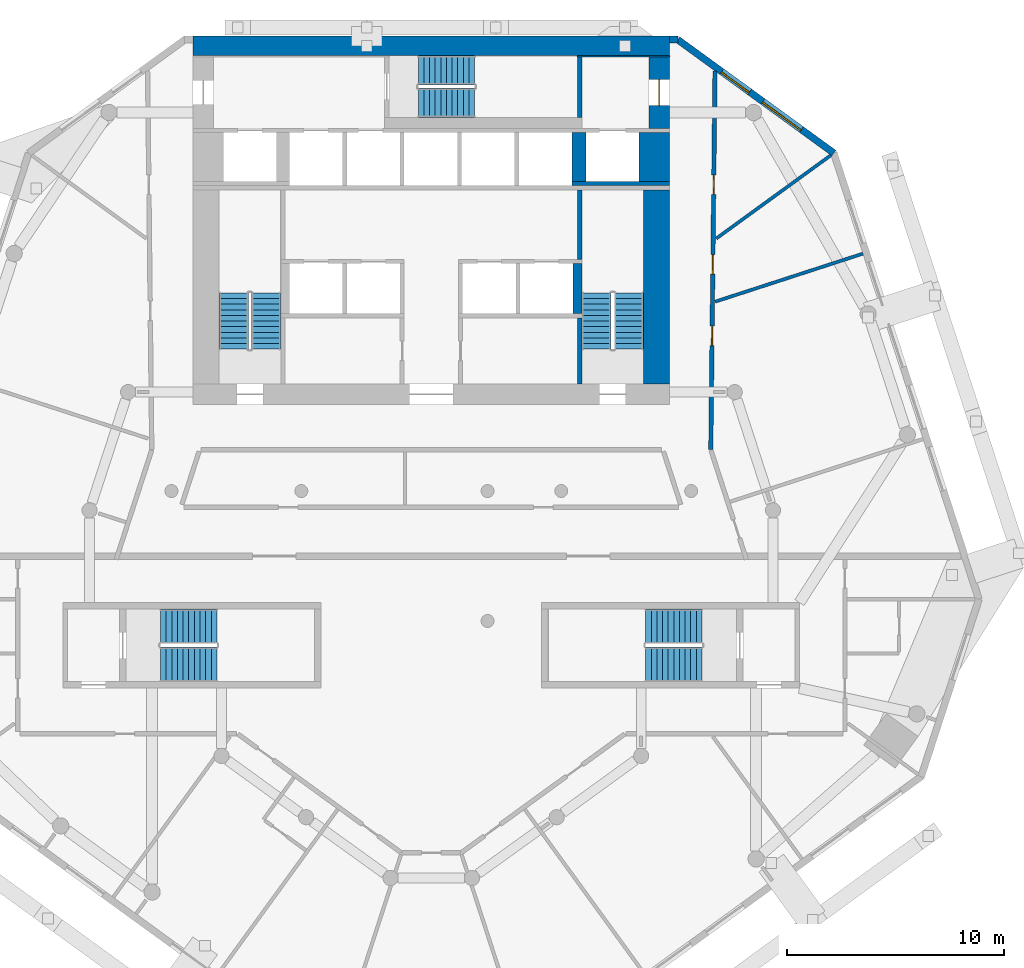
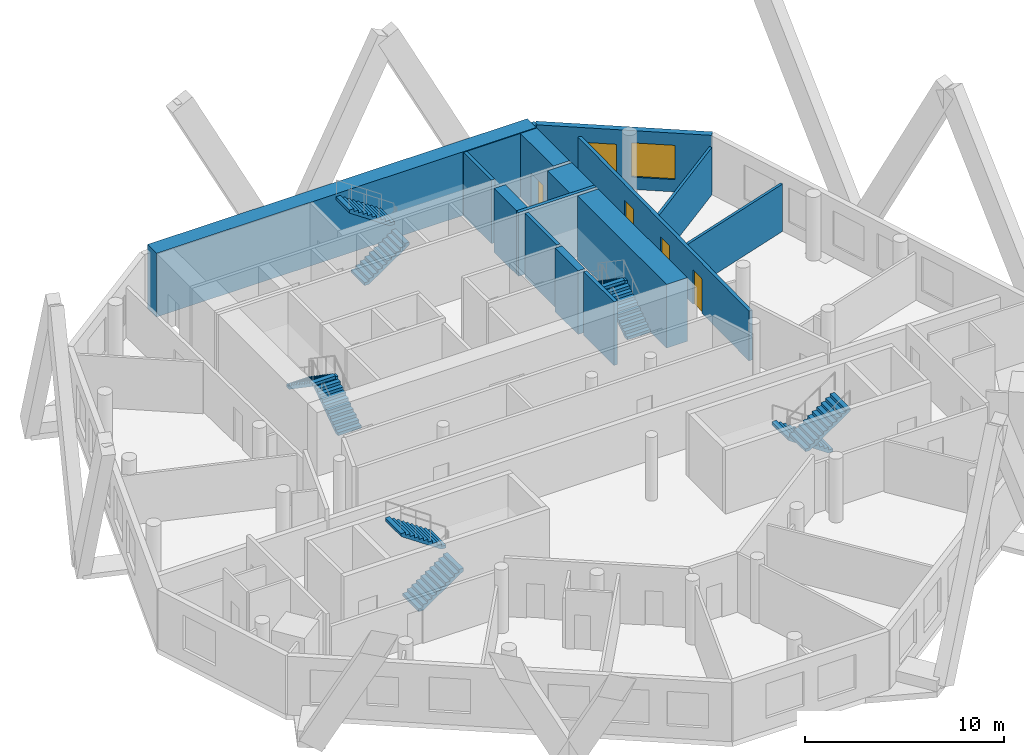
# One storey, part 7 of 9: 16 walls, 10 stair flights, 4 doors, 2 windows, 6 openings, 5 elements without a shape of their own.
"""IFC4 building model written with IfcOpenShell, lengths in metres."""

from ifc_helpers import new_model, si_unit, direction, frame, frame_2d, origin, place, context, subcontext, project, spatial, polyline, rectangle, outline, extrude, material, layer, layer_set, type_object, element, fill, aggregate, save


model = new_model("IFC4")

# Units and contexts
model_context = context("Model", 3, precision=1e-05, world=origin(), true_north=direction((0.0, 1.0)))
body_context = subcontext(model_context, "Body", "Model", "MODEL_VIEW")
ifc_project = project(units=[si_unit("LENGTHUNIT", "METRE"), si_unit("AREAUNIT", "SQUARE_METRE"), si_unit("VOLUMEUNIT", "CUBIC_METRE"), si_unit("PLANEANGLEUNIT", "RADIAN"), si_unit("MASSUNIT", "GRAM", prefix="KILO")], contexts=[model_context])

# Site, building, storey
site_placement = place(None, origin())
site = spatial("IfcSite", under=ifc_project, at=site_placement, CompositionType="ELEMENT")
building_placement = place(site_placement, origin())
building = spatial("IfcBuilding", under=site, at=building_placement, Name="White Candle Pilgrim Tower", CompositionType="ELEMENT")
storey_placement = place(building_placement, frame((0.0, 0.0, 148.60009765625)))
storey = spatial("IfcBuildingStorey", under=building, at=storey_placement, Name="L33", CompositionType="ELEMENT", Elevation=148.60009765625)

# Walls
ifc_material_1 = material(Name="Concrete C60/75", Category="concrete")
ifc_layer_1 = layer(ifc_material_1, 1.39990234375)
ifc_layer_set_1 = layer_set([ifc_layer_1], Name="Core wall 1400 mm Concrete C60/75")
wall_type_1 = type_object("IfcWallType", Name="Core wall 1400 mm Concrete C60/75", PredefinedType="SHEAR", material=ifc_layer_set_1)
wall_1_placement = place(storey_placement, frame((80.300048828125, 81.300048828125, 0.0), z_axis=(0.0, 0.0, 1.0), x_axis=(0.0, 1.0, 0.0)))
element("IfcWall", 1, at=wall_1_placement, inside=storey, type_object=wall_type_1, Name="WL-L33-C40", PredefinedType="SHEAR", context=body_context, shape_type="SweptSolid", body=[
    extrude(rectangle(XDim=2.25, YDim=1.39990234375, at=frame_2d((1.125, 0.0))), origin(), (0.0, 0.0, 1.0), 3.89990234375),
])
ifc_layer_2 = layer(ifc_material_1, 0.199951171875)
ifc_layer_set_2 = layer_set([ifc_layer_2], Name="Core wall 200 mm Concrete C60/75")
wall_type_2 = type_object("IfcWallType", Name="Core wall 200 mm Concrete C60/75", PredefinedType="SHEAR", material=ifc_layer_set_2)
wall_2_placement = place(storey_placement, frame((76.5, 81.199951171875, 0.0), z_axis=(0.0, 0.0, 1.0), x_axis=(1.0, 0.0, 0.0)))
element("IfcWall", 2, at=wall_2_placement, inside=storey, type_object=wall_type_2, Name="WL-L33-C36", PredefinedType="SHEAR", context=body_context, shape_type="SweptSolid", body=[
    extrude(rectangle(XDim=4.5, YDim=0.199951171875, at=frame_2d((2.25, 0.0))), origin(), (0.0, 0.0, 1.0), 3.89990234375),
])

# Wall, opening, door
ifc_layer_3 = layer(ifc_material_1, 0.949951171875)
ifc_layer_set_3 = layer_set([ifc_layer_3], Name="Core wall 950 mm Concrete C60/75")
wall_type_3 = type_object("IfcWallType", Name="Core wall 950 mm Concrete C60/75", PredefinedType="SHEAR", material=ifc_layer_set_3)
wall_3_placement = place(storey_placement, frame((80.52490234375, 83.75, 0.0), z_axis=(0.0, 0.0, 1.0), x_axis=(0.0, 1.0, 0.0)))
wall_3 = element("IfcWall", 3, at=wall_3_placement, inside=storey, type_object=wall_type_3, Name="WL-L33-C44", PredefinedType="SHEAR", context=body_context, shape_type="SweptSolid", body=[
    extrude(rectangle(XDim=3.300048828125, YDim=0.949951171875, at=frame_2d((1.64990234375, 0.0))), origin(), (0.0, 0.0, 1.0), 3.89990234375),
])
opening_1_placement = place(wall_3_placement, frame((1.050048828125, 0.0, 0.0)))
opening_1 = element("IfcOpeningElement", 4, at=opening_1_placement, cuts=wall_3, Name="Opening T10-008", PredefinedType="OPENING", context=body_context, shape_type="SweptSolid", body=[
    extrude(rectangle(XDim=1.199951171875, YDim=2.10009765625, at=frame_2d((0.60009765625, 1.050048828125))), frame((0.0, 0.48486328125, 0.0), z_axis=(0.0, -1.0, 0.0), x_axis=(1.0, 0.0, 0.0)), (0.0, 0.0, 1.0), 0.969970703125),
])
ifc_material_2 = material(Name="Steel door leaf", Category="steel")
door_type_1 = type_object("IfcDoorType", Name="Fire door 1200 x 2100 EI 30", OperationType="NOTDEFINED", PredefinedType="DOOR", material=ifc_material_2)
door_1_placement = place(opening_1_placement, origin())
door_1 = element("IfcDoor", 5, at=door_1_placement, inside=storey, type_object=door_type_1, Name="Door T10-008", OperationType="SINGLE_SWING_RIGHT", OverallHeight=2.10009765625, OverallWidth=1.199951171875, PredefinedType="DOOR", context=body_context, shape_type="SweptSolid", body=[
    extrude(rectangle(XDim=1.199951171875, YDim=2.10009765625, at=frame_2d((0.60009765625, 1.050048828125))), frame((0.0, 0.02490234375, 0.0), z_axis=(0.0, -1.0, 0.0), x_axis=(1.0, 0.0, 0.0)), (0.0, 0.0, 1.0), 0.050048828125),
])
fill(opening_1, door_1)

# Wall, openings, doors
ifc_material_3 = material(Name="Gypsum board on steel studs", Category="steel")
ifc_layer_4 = layer(ifc_material_3, 0.199951171875)
ifc_layer_set_4 = layer_set([ifc_layer_4], Name="Corridor wall 200 mm EI 45")
wall_type_4 = type_object("IfcWallType", Name="Corridor wall 200 mm EI 45", PredefinedType="PARTITIONING", material=ifc_layer_set_4)
wall_4_placement = place(storey_placement, frame((83.10009765625, 86.396240234375, 0.0), z_axis=(0.0, 0.0, 1.0), x_axis=(-0.011061239263, -0.999938822622, 0.0)))
wall_4 = element("IfcWall", 6, at=wall_4_placement, inside=storey, type_object=wall_type_4, Name="WL-L33-P004", PredefinedType="PARTITIONING", context=body_context, shape_type="SweptSolid", body=[
    extrude(rectangle(XDim=17.480712890625, YDim=0.199951171875, at=frame_2d((8.740234375, 0.0))), origin(), (0.0, 0.0, 1.0), 3.0498046875),
])
opening_2_placement = place(wall_4_placement, frame((4.794189453125, 0.0, 0.0)))
opening_2 = element("IfcOpeningElement", 7, at=opening_2_placement, cuts=wall_4, Name="Opening T10-120", PredefinedType="OPENING", context=body_context, shape_type="SweptSolid", body=[
    extrude(rectangle(XDim=0.89990234375, YDim=2.10009765625, at=frame_2d((0.449951171875, 1.050048828125))), frame((0.0, 0.10986328125, 0.0), z_axis=(0.0, -1.0, 0.0), x_axis=(1.0, 0.0, 0.0)), (0.0, 0.0, 1.0), 0.219970703125),
])
opening_3_placement = place(wall_4_placement, frame((8.476318359375, 0.0, 0.0)))
opening_3 = element("IfcOpeningElement", 8, at=opening_3_placement, cuts=wall_4, Name="Opening T10-121", PredefinedType="OPENING", context=body_context, shape_type="SweptSolid", body=[
    extrude(rectangle(XDim=0.89990234375, YDim=2.10009765625, at=frame_2d((0.449951171875, 1.050048828125))), frame((0.0, 0.10986328125, 0.0), z_axis=(0.0, -1.0, 0.0), x_axis=(1.0, 0.0, 0.0)), (0.0, 0.0, 1.0), 0.219970703125),
])
opening_4_placement = place(wall_4_placement, frame((11.78662109375, 0.0, 0.0)))
opening_4 = element("IfcOpeningElement", 9, at=opening_4_placement, cuts=wall_4, Name="Opening T10-122", PredefinedType="OPENING", context=body_context, shape_type="SweptSolid", body=[
    extrude(rectangle(XDim=0.89990234375, YDim=2.10009765625, at=frame_2d((0.449951171875, 1.050048828125))), frame((0.0, 0.10986328125, 0.0), z_axis=(0.0, -1.0, 0.0), x_axis=(1.0, 0.0, 0.0)), (0.0, 0.0, 1.0), 0.219970703125),
])
door_type_2 = type_object("IfcDoorType", Name="Fire door 900 x 2100 EI 30", OperationType="NOTDEFINED", PredefinedType="DOOR", material=ifc_material_2)
door_2_placement = place(opening_2_placement, origin())
door_2 = element("IfcDoor", 10, at=door_2_placement, inside=storey, type_object=door_type_2, Name="Door T10-120", OperationType="SINGLE_SWING_RIGHT", OverallHeight=2.10009765625, OverallWidth=0.89990234375, PredefinedType="DOOR", context=body_context, shape_type="SweptSolid", body=[
    extrude(rectangle(XDim=0.89990234375, YDim=2.10009765625, at=frame_2d((0.449951171875, 1.050048828125))), frame((0.0, 0.02490234375, 0.0), z_axis=(0.0, -1.0, 0.0), x_axis=(1.0, 0.0, 0.0)), (0.0, 0.0, 1.0), 0.050048828125),
])
fill(opening_2, door_2)
door_3_placement = place(opening_3_placement, origin())
door_3 = element("IfcDoor", 11, at=door_3_placement, inside=storey, type_object=door_type_2, Name="Door T10-121", OperationType="SINGLE_SWING_LEFT", OverallHeight=2.10009765625, OverallWidth=0.89990234375, PredefinedType="DOOR", context=body_context, shape_type="SweptSolid", body=[
    extrude(rectangle(XDim=0.89990234375, YDim=2.10009765625, at=frame_2d((0.449951171875, 1.050048828125))), frame((0.0, 0.02490234375, 0.0), z_axis=(0.0, -1.0, 0.0), x_axis=(1.0, 0.0, 0.0)), (0.0, 0.0, 1.0), 0.050048828125),
])
fill(opening_3, door_3)
door_4_placement = place(opening_4_placement, origin())
door_4 = element("IfcDoor", 12, at=door_4_placement, inside=storey, type_object=door_type_2, Name="Door T10-122", OperationType="SINGLE_SWING_RIGHT", OverallHeight=2.10009765625, OverallWidth=0.89990234375, PredefinedType="DOOR", context=body_context, shape_type="SweptSolid", body=[
    extrude(rectangle(XDim=0.89990234375, YDim=2.10009765625, at=frame_2d((0.449951171875, 1.050048828125))), frame((0.0, 0.02490234375, 0.0), z_axis=(0.0, -1.0, 0.0), x_axis=(1.0, 0.0, 0.0)), (0.0, 0.0, 1.0), 0.050048828125),
])
fill(opening_4, door_4)

# Wall, openings, windows
ifc_material_4 = material(Name="Precast concrete C40/50", Category="concrete")
ifc_layer_5 = layer(ifc_material_4, 0.320068359375)
ifc_layer_set_5 = layer_set([ifc_layer_5], Name="Facade wall EW1 precast concrete C40/50 pier wall with timber-lined reveals")
wall_type_5 = type_object("IfcWallType", Name="Facade wall EW1 precast concrete C40/50 pier wall with timber-lined reveals", PredefinedType="SOLIDWALL", material=ifc_layer_set_5)
wall_5_placement = place(storey_placement, frame((88.58935546875, 82.605712890625, 0.0), z_axis=(0.0, 0.0, 1.0), x_axis=(-0.809011042426, 0.58779344436, 0.0)))
wall_5 = element("IfcWall", 13, at=wall_5_placement, inside=storey, type_object=wall_type_5, Name="Facade wall L33 NE chamfer", PredefinedType="SOLIDWALL", context=body_context, shape_type="SweptSolid", body=[
    extrude(rectangle(XDim=8.905029296875, YDim=0.320068359375, at=frame_2d((4.45263671875, 0.0))), origin(), (0.0, 0.0, 1.0), 3.599853515625),
])
opening_5_placement = place(wall_5_placement, frame((1.8525390625, 0.0, 0.75)))
opening_5 = element("IfcOpeningElement", 14, at=opening_5_placement, cuts=wall_5, Name="Opening W4", PredefinedType="OPENING", context=body_context, shape_type="SweptSolid", body=[
    extrude(rectangle(XDim=2.199951171875, YDim=2.10009765625, at=frame_2d((1.10009765625, 1.050048828125))), frame((0.0, 0.169921875, 0.0), z_axis=(0.0, -1.0, 0.0), x_axis=(1.0, 0.0, 0.0)), (0.0, 0.0, 1.0), 0.340087890625),
])
opening_6_placement = place(wall_5_placement, frame((4.802490234375, 0.0, 0.89990234375)))
opening_6 = element("IfcOpeningElement", 15, at=opening_6_placement, cuts=wall_5, Name="Opening W2", PredefinedType="OPENING", context=body_context, shape_type="SweptSolid", body=[
    extrude(rectangle(XDim=1.60009765625, YDim=1.800048828125, at=frame_2d((0.800048828125, 0.89990234375))), frame((0.0, 0.169921875, 0.0), z_axis=(0.0, -1.0, 0.0), x_axis=(1.0, 0.0, 0.0)), (0.0, 0.0, 1.0), 0.340087890625),
])
ifc_material_5 = material(Name="Timber frame with triple glazing", Category="wood")
window_type_1 = type_object("IfcWindowType", Name="Window W2 1600x1800 timber frame triple glazing", PartitioningType="SINGLE_PANEL", PredefinedType="WINDOW", material=ifc_material_5)
window_1_placement = place(opening_6_placement, origin())
window_1 = element("IfcWindow", 16, at=window_1_placement, inside=storey, type_object=window_type_1, Name="Window W2 L33 NE chamfer 2", OverallHeight=1.800048828125, OverallWidth=1.60009765625, PartitioningType="SINGLE_PANEL", PredefinedType="WINDOW", context=body_context, shape_type="SweptSolid", body=[
    extrude(rectangle(XDim=1.60009765625, YDim=1.800048828125, at=frame_2d((0.800048828125, 0.89990234375))), frame((0.0, 0.070068359375, 0.0), z_axis=(0.0, -1.0, 0.0), x_axis=(1.0, 0.0, 0.0)), (0.0, 0.0, 1.0), 0.06005859375),
])
fill(opening_6, window_1)
window_type_2 = type_object("IfcWindowType", Name="Window W4 2200x2100 timber frame triple glazing", PartitioningType="SINGLE_PANEL", PredefinedType="WINDOW", material=ifc_material_5)
window_2_placement = place(opening_5_placement, origin())
window_2 = element("IfcWindow", 17, at=window_2_placement, inside=storey, type_object=window_type_2, Name="Window W4 L33 NE chamfer 1", OverallHeight=2.10009765625, OverallWidth=2.199951171875, PartitioningType="SINGLE_PANEL", PredefinedType="WINDOW", context=body_context, shape_type="SweptSolid", body=[
    extrude(rectangle(XDim=2.199951171875, YDim=2.10009765625, at=frame_2d((1.10009765625, 1.050048828125))), frame((0.0, 0.070068359375, 0.0), z_axis=(0.0, -1.0, 0.0), x_axis=(1.0, 0.0, 0.0)), (0.0, 0.0, 1.0), 0.06005859375),
])
fill(opening_5, window_2)

# Walls
wall_6_placement = place(storey_placement, frame((81.385009765625, 87.840087890625, 0.0), z_axis=(0.0, 0.0, 1.0), x_axis=(-1.0, 0.0, 0.0)))
element("IfcWall", 18, at=wall_6_placement, inside=storey, type_object=wall_type_5, Name="Facade wall L33 N", PredefinedType="SOLIDWALL", context=body_context, shape_type="SweptSolid", body=[
    extrude(rectangle(XDim=0.385009765625, YDim=0.320068359375, at=frame_2d((0.1923828125, 0.0))), origin(), (0.0, 0.0, 1.0), 3.599853515625),
])
ifc_layer_6 = layer(ifc_material_3, 0.14990234375)
ifc_layer_set_6 = layer_set([ifc_layer_6], Name="Partition 150 mm EI 60")
wall_type_6 = type_object("IfcWallType", Name="Partition 150 mm EI 60", PredefinedType="PARTITIONING", material=ifc_layer_set_6)
wall_7_placement = place(storey_placement, frame((88.453125, 82.5068359375, 0.0), z_axis=(0.0, 0.0, 1.0), x_axis=(-0.809023171625, -0.587776749944, 0.0)))
element("IfcWall", 19, at=wall_7_placement, inside=storey, type_object=wall_type_6, Name="WL-L33-P024", PredefinedType="PARTITIONING", context=body_context, shape_type="SweptSolid", body=[
    extrude(rectangle(XDim=6.543701171875, YDim=0.14990234375, at=frame_2d((3.27197265625, 0.0))), origin(), (0.0, 0.0, 1.0), 2.89990234375),
])
wall_8_placement = place(storey_placement, frame((89.930419921875, 77.9609375, 0.0), z_axis=(0.0, 0.0, 1.0), x_axis=(-0.951058069713, -0.309012213406, 0.0)))
element("IfcWall", 20, at=wall_8_placement, inside=storey, type_object=wall_type_6, Name="WL-L33-P037", PredefinedType="PARTITIONING", context=body_context, shape_type="SweptSolid", body=[
    extrude(rectangle(XDim=7.17529296875, YDim=0.14990234375, at=frame_2d((3.587646484375, 0.0))), origin(), (0.0, 0.0, 1.0), 2.89990234375),
])
ifc_layer_7 = layer(ifc_material_1, 0.64990234375)
ifc_layer_set_7 = layer_set([ifc_layer_7], Name="Shaft wall 650 mm Concrete C60/75")
wall_type_7 = type_object("IfcWallType", Name="Shaft wall 650 mm Concrete C60/75", PredefinedType="SHEAR", material=ifc_layer_set_7)
wall_9_placement = place(storey_placement, frame((76.824951171875, 81.300048828125, 0.0), z_axis=(0.0, 0.0, 1.0), x_axis=(0.0, 1.0, 0.0)))
element("IfcWall", 21, at=wall_9_placement, inside=storey, type_object=wall_type_7, Name="WL-L33-C39", PredefinedType="SHEAR", context=body_context, shape_type="SweptSolid", body=[
    extrude(rectangle(XDim=2.25, YDim=0.64990234375, at=frame_2d((1.125, 0.0))), origin(), (0.0, 0.0, 1.0), 3.89990234375),
])
ifc_layer_8 = layer(ifc_material_1, 1.199951171875)
ifc_layer_set_8 = layer_set([ifc_layer_8], Name="Stair shaft wall 1200 mm Concrete C60/75")
wall_type_8 = type_object("IfcWallType", Name="Stair shaft wall 1200 mm Concrete C60/75", PredefinedType="SHEAR", material=ifc_layer_set_8)
wall_10_placement = place(storey_placement, frame((80.39990234375, 71.949951171875, 0.0), z_axis=(0.0, 0.0, 1.0), x_axis=(0.0, 1.0, 0.0)))
element("IfcWall", 22, at=wall_10_placement, inside=storey, type_object=wall_type_8, Name="WL-L33-C17", PredefinedType="SHEAR", context=body_context, shape_type="SweptSolid", body=[
    extrude(rectangle(XDim=8.949951171875, YDim=1.199951171875, at=frame_2d((4.47509765625, 0.0))), origin(), (0.0, 0.0, 1.0), 3.89990234375),
])
ifc_layer_9 = layer(ifc_material_1, 0.199951171875)
ifc_layer_set_9 = layer_set([ifc_layer_9], Name="Stair shaft wall 200 mm Concrete C60/75")
wall_type_9 = type_object("IfcWallType", Name="Stair shaft wall 200 mm Concrete C60/75", PredefinedType="SHEAR", material=ifc_layer_set_9)
wall_11_placement = place(storey_placement, frame((76.85009765625, 71.949951171875, 0.0), z_axis=(0.0, 0.0, 1.0), x_axis=(0.0, 1.0, 0.0)))
element("IfcWall", 23, at=wall_11_placement, inside=storey, type_object=wall_type_9, Name="WL-L33-C16", PredefinedType="SHEAR", context=body_context, shape_type="SweptSolid", body=[
    extrude(rectangle(XDim=3.050048828125, YDim=0.199951171875, at=frame_2d((1.52490234375, 0.0))), origin(), (0.0, 0.0, 1.0), 3.89990234375),
])
wall_12_placement = place(storey_placement, frame((76.85009765625, 77.699951171875, 0.0), z_axis=(0.0, 0.0, 1.0), x_axis=(0.0, 1.0, 0.0)))
element("IfcWall", 24, at=wall_12_placement, inside=storey, type_object=wall_type_9, Name="WL-L33-C29", PredefinedType="SHEAR", context=body_context, shape_type="SweptSolid", body=[
    extrude(rectangle(XDim=3.199951171875, YDim=0.199951171875, at=frame_2d((1.60009765625, 0.0))), origin(), (0.0, 0.0, 1.0), 3.89990234375),
])
wall_13_placement = place(storey_placement, frame((76.85009765625, 84.25, 0.0), z_axis=(0.0, 0.0, 1.0), x_axis=(0.0, 1.0, 0.0)))
element("IfcWall", 25, at=wall_13_placement, inside=storey, type_object=wall_type_9, Name="WL-L33-C46", PredefinedType="SHEAR", context=body_context, shape_type="SweptSolid", body=[
    extrude(rectangle(XDim=2.800048828125, YDim=0.199951171875, at=frame_2d((1.39990234375, 0.0))), origin(), (0.0, 0.0, 1.0), 3.89990234375),
])
ifc_layer_10 = layer(ifc_material_1, 0.39990234375)
ifc_layer_set_10 = layer_set([ifc_layer_10], Name="Stair shaft wall 400 mm Concrete C60/75")
wall_type_10 = type_object("IfcWallType", Name="Stair shaft wall 400 mm Concrete C60/75", PredefinedType="SHEAR", material=ifc_layer_set_10)
wall_14_placement = place(storey_placement, frame((76.75, 75.199951171875, 0.0), z_axis=(0.0, 0.0, 1.0), x_axis=(0.0, 1.0, 0.0)))
element("IfcWall", 26, at=wall_14_placement, inside=storey, type_object=wall_type_10, Name="WL-L33-C25", PredefinedType="SHEAR", context=body_context, shape_type="SweptSolid", body=[
    extrude(rectangle(XDim=2.300048828125, YDim=0.39990234375, at=frame_2d((1.14990234375, 0.0))), origin(), (0.0, 0.0, 1.0), 3.89990234375),
])
ifc_layer_11 = layer(ifc_material_1, 0.050048828125)
ifc_layer_set_11 = layer_set([ifc_layer_11], Name="Stair shaft wall 50 mm Concrete C60/75")
wall_type_11 = type_object("IfcWallType", Name="Stair shaft wall 50 mm Concrete C60/75", PredefinedType="SHEAR", material=ifc_layer_set_11)
wall_15_placement = place(storey_placement, frame((76.75, 87.074951171875, 0.0), z_axis=(0.0, 0.0, 1.0), x_axis=(1.0, 0.0, 0.0)))
element("IfcWall", 27, at=wall_15_placement, inside=storey, type_object=wall_type_11, Name="WL-L33-C48", PredefinedType="SHEAR", context=body_context, shape_type="SweptSolid", body=[
    extrude(rectangle(XDim=4.25, YDim=0.050048828125, at=frame_2d((2.125, 0.0))), origin(), (0.0, 0.0, 1.0), 3.89990234375),
])
ifc_layer_12 = layer(ifc_material_1, 0.89990234375)
ifc_layer_set_12 = layer_set([ifc_layer_12], Name="Stair shaft wall 900 mm Concrete C60/75")
wall_type_12 = type_object("IfcWallType", Name="Stair shaft wall 900 mm Concrete C60/75", PredefinedType="SHEAR", material=ifc_layer_set_12)
wall_16_placement = place(storey_placement, frame((59.0, 87.550048828125, 0.0), z_axis=(0.0, 0.0, 1.0), x_axis=(1.0, 0.0, 0.0)))
element("IfcWall", 28, at=wall_16_placement, inside=storey, type_object=wall_type_12, Name="WL-L33-C49", PredefinedType="SHEAR", context=body_context, shape_type="SweptSolid", body=[
    extrude(rectangle(XDim=22.0, YDim=0.89990234375, at=frame_2d((11.0, 0.0))), origin(), (0.0, 0.0, 1.0), 3.89990234375),
])

# Stair, stair flights
ifc_material_6 = material(Name="Concrete C40/50", Category="concrete")
stair_type_1 = type_object("IfcStairType", Name="Exit stair 1 flight width 1350 mm", PredefinedType="HALF_TURN_STAIR", material=ifc_material_6)
stair_1_placement = place(storey_placement, origin())
stair_1 = element("IfcStair", 29, at=stair_1_placement, inside=storey, type_object=stair_type_1, Name="L33 stair 1", PredefinedType="NOTDEFINED")
ifc_layer_13 = layer(ifc_material_6, 0.14990234375)
ifc_layer_set_13 = layer_set([ifc_layer_13], Name="Stair flight Concrete C40/50")
stair_flight_type = type_object("IfcStairFlightType", Name="Stair flight Concrete C40/50", PredefinedType="STRAIGHT", material=ifc_layer_set_13)
stair_flight_1_placement = place(storey_placement, frame((62.375, 73.550048828125, 0.0), z_axis=(0.0, 0.0, 1.0), x_axis=(0.0, 1.0, 0.0)))
stair_flight_1 = element("IfcStairFlight", 30, at=stair_flight_1_placement, type_object=stair_flight_type, Name="ST1 flight 1", NumberOfRisers=11, NumberOfTreads=10, PredefinedType="NOTDEFINED", RiserHeight=0.177272727, TreadLength=0.26, context=body_context, shape_type="SweptSolid", body=[
    extrude(outline(polyline([(0.0, 0.0), (0.0, 0.17724609375), (0.260009765625, 0.17724609375), (0.260009765625, 0.3544921875), (0.52001953125, 0.3544921875), (0.52001953125, 0.53173828125), (0.780029296875, 0.53173828125), (0.780029296875, 0.708984375), (1.0400390625, 0.708984375), (1.0400390625, 0.886474609375), (1.300048828125, 0.886474609375), (1.300048828125, 1.063720703125), (1.56005859375, 1.063720703125), (1.56005859375, 1.240966796875), (1.820068359375, 1.240966796875), (1.820068359375, 1.418212890625), (2.080078125, 1.418212890625), (2.080078125, 1.595458984375), (2.340087890625, 1.595458984375), (2.340087890625, 1.772705078125), (2.60009765625, 1.772705078125), (2.60009765625, 1.949951171875), (2.60009765625, 1.59130859375), (0.26611328125, 0.0), (0.0, 0.0)])), frame((0.0, 0.675048828125, 0.0), z_axis=(0.0, -1.0, 0.0), x_axis=(1.0, 0.0, 0.0)), (0.0, 0.0, 1.0), 1.35009765625),
])
stair_flight_2_placement = place(storey_placement, frame((60.875, 76.14990234375, 1.949951171875), z_axis=(0.0, 0.0, 1.0), x_axis=(0.0, -1.0, 0.0)))
stair_flight_2 = element("IfcStairFlight", 31, at=stair_flight_2_placement, type_object=stair_flight_type, Name="ST1 flight 2", NumberOfRisers=11, NumberOfTreads=10, PredefinedType="NOTDEFINED", RiserHeight=0.177272727, TreadLength=0.26, context=body_context, shape_type="SweptSolid", body=[
    extrude(outline(polyline([(0.0, 0.0), (0.0, 0.17724609375), (0.260009765625, 0.17724609375), (0.260009765625, 0.3544921875), (0.52001953125, 0.3544921875), (0.52001953125, 0.53173828125), (0.780029296875, 0.53173828125), (0.780029296875, 0.708984375), (1.0400390625, 0.708984375), (1.0400390625, 0.886474609375), (1.300048828125, 0.886474609375), (1.300048828125, 1.063720703125), (1.56005859375, 1.063720703125), (1.56005859375, 1.240966796875), (1.820068359375, 1.240966796875), (1.820068359375, 1.418212890625), (2.080078125, 1.418212890625), (2.080078125, 1.595458984375), (2.340087890625, 1.595458984375), (2.340087890625, 1.772705078125), (2.60009765625, 1.772705078125), (2.60009765625, 1.949951171875), (2.60009765625, 1.59130859375), (0.26611328125, 0.0), (0.0, 0.0)])), frame((0.0, 0.675048828125, 0.0), z_axis=(0.0, -1.0, 0.0), x_axis=(1.0, 0.0, 0.0)), (0.0, 0.0, 1.0), 1.35009765625),
])
aggregate(stair_1, [stair_flight_1, stair_flight_2])

stair_type_2 = type_object("IfcStairType", Name="Exit stair 2 flight width 1350 mm", PredefinedType="HALF_TURN_STAIR", material=ifc_material_6)
stair_2_placement = place(storey_placement, origin())
stair_2 = element("IfcStair", 32, at=stair_2_placement, inside=storey, type_object=stair_type_2, Name="L33 stair 2", PredefinedType="NOTDEFINED")
stair_flight_3_placement = place(storey_placement, frame((79.125, 73.550048828125, 0.0), z_axis=(0.0, 0.0, 1.0), x_axis=(0.0, 1.0, 0.0)))
stair_flight_3 = element("IfcStairFlight", 33, at=stair_flight_3_placement, type_object=stair_flight_type, Name="ST2 flight 1", NumberOfRisers=11, NumberOfTreads=10, PredefinedType="NOTDEFINED", RiserHeight=0.177272727, TreadLength=0.26, context=body_context, shape_type="SweptSolid", body=[
    extrude(outline(polyline([(0.0, 0.0), (0.0, 0.17724609375), (0.260009765625, 0.17724609375), (0.260009765625, 0.3544921875), (0.52001953125, 0.3544921875), (0.52001953125, 0.53173828125), (0.780029296875, 0.53173828125), (0.780029296875, 0.708984375), (1.0400390625, 0.708984375), (1.0400390625, 0.886474609375), (1.300048828125, 0.886474609375), (1.300048828125, 1.063720703125), (1.56005859375, 1.063720703125), (1.56005859375, 1.240966796875), (1.820068359375, 1.240966796875), (1.820068359375, 1.418212890625), (2.080078125, 1.418212890625), (2.080078125, 1.595458984375), (2.340087890625, 1.595458984375), (2.340087890625, 1.772705078125), (2.60009765625, 1.772705078125), (2.60009765625, 1.949951171875), (2.60009765625, 1.59130859375), (0.26611328125, 0.0), (0.0, 0.0)])), frame((0.0, 0.675048828125, 0.0), z_axis=(0.0, -1.0, 0.0), x_axis=(1.0, 0.0, 0.0)), (0.0, 0.0, 1.0), 1.35009765625),
])
stair_flight_4_placement = place(storey_placement, frame((77.625, 76.14990234375, 1.949951171875), z_axis=(0.0, 0.0, 1.0), x_axis=(0.0, -1.0, 0.0)))
stair_flight_4 = element("IfcStairFlight", 34, at=stair_flight_4_placement, type_object=stair_flight_type, Name="ST2 flight 2", NumberOfRisers=11, NumberOfTreads=10, PredefinedType="NOTDEFINED", RiserHeight=0.177272727, TreadLength=0.26, context=body_context, shape_type="SweptSolid", body=[
    extrude(outline(polyline([(0.0, 0.0), (0.0, 0.17724609375), (0.260009765625, 0.17724609375), (0.260009765625, 0.3544921875), (0.52001953125, 0.3544921875), (0.52001953125, 0.53173828125), (0.780029296875, 0.53173828125), (0.780029296875, 0.708984375), (1.0400390625, 0.708984375), (1.0400390625, 0.886474609375), (1.300048828125, 0.886474609375), (1.300048828125, 1.063720703125), (1.56005859375, 1.063720703125), (1.56005859375, 1.240966796875), (1.820068359375, 1.240966796875), (1.820068359375, 1.418212890625), (2.080078125, 1.418212890625), (2.080078125, 1.595458984375), (2.340087890625, 1.595458984375), (2.340087890625, 1.772705078125), (2.60009765625, 1.772705078125), (2.60009765625, 1.949951171875), (2.60009765625, 1.59130859375), (0.26611328125, 0.0), (0.0, 0.0)])), frame((0.0, 0.675048828125, 0.0), z_axis=(0.0, -1.0, 0.0), x_axis=(1.0, 0.0, 0.0)), (0.0, 0.0, 1.0), 1.35009765625),
])
aggregate(stair_2, [stair_flight_3, stair_flight_4])

stair_type_3 = type_object("IfcStairType", Name="Exit stair 3 flight width 1350 mm", PredefinedType="HALF_TURN_STAIR", material=ifc_material_6)
stair_3_placement = place(storey_placement, origin())
stair_3 = element("IfcStair", 35, at=stair_3_placement, inside=storey, type_object=stair_type_3, Name="L33 stair 3", PredefinedType="NOTDEFINED")
stair_flight_5_placement = place(storey_placement, frame((69.39990234375, 84.925048828125, 0.0), z_axis=(0.0, 0.0, 1.0), x_axis=(1.0, 0.0, 0.0)))
stair_flight_5 = element("IfcStairFlight", 36, at=stair_flight_5_placement, type_object=stair_flight_type, Name="ST3 flight 1", NumberOfRisers=11, NumberOfTreads=10, PredefinedType="NOTDEFINED", RiserHeight=0.177272727, TreadLength=0.26, context=body_context, shape_type="SweptSolid", body=[
    extrude(outline(polyline([(0.0, 0.0), (0.0, 0.17724609375), (0.260009765625, 0.17724609375), (0.260009765625, 0.3544921875), (0.52001953125, 0.3544921875), (0.52001953125, 0.53173828125), (0.780029296875, 0.53173828125), (0.780029296875, 0.708984375), (1.0400390625, 0.708984375), (1.0400390625, 0.886474609375), (1.300048828125, 0.886474609375), (1.300048828125, 1.063720703125), (1.56005859375, 1.063720703125), (1.56005859375, 1.240966796875), (1.820068359375, 1.240966796875), (1.820068359375, 1.418212890625), (2.080078125, 1.418212890625), (2.080078125, 1.595458984375), (2.340087890625, 1.595458984375), (2.340087890625, 1.772705078125), (2.60009765625, 1.772705078125), (2.60009765625, 1.949951171875), (2.60009765625, 1.59130859375), (0.26611328125, 0.0), (0.0, 0.0)])), frame((0.0, 0.675048828125, 0.0), z_axis=(0.0, -1.0, 0.0), x_axis=(1.0, 0.0, 0.0)), (0.0, 0.0, 1.0), 1.35009765625),
])
stair_flight_6_placement = place(storey_placement, frame((72.0, 86.425048828125, 1.949951171875), z_axis=(0.0, 0.0, 1.0), x_axis=(-1.0, 0.0, 0.0)))
stair_flight_6 = element("IfcStairFlight", 37, at=stair_flight_6_placement, type_object=stair_flight_type, Name="ST3 flight 2", NumberOfRisers=11, NumberOfTreads=10, PredefinedType="NOTDEFINED", RiserHeight=0.177272727, TreadLength=0.26, context=body_context, shape_type="SweptSolid", body=[
    extrude(outline(polyline([(0.0, 0.0), (0.0, 0.17724609375), (0.260009765625, 0.17724609375), (0.260009765625, 0.3544921875), (0.52001953125, 0.3544921875), (0.52001953125, 0.53173828125), (0.780029296875, 0.53173828125), (0.780029296875, 0.708984375), (1.0400390625, 0.708984375), (1.0400390625, 0.886474609375), (1.300048828125, 0.886474609375), (1.300048828125, 1.063720703125), (1.56005859375, 1.063720703125), (1.56005859375, 1.240966796875), (1.820068359375, 1.240966796875), (1.820068359375, 1.418212890625), (2.080078125, 1.418212890625), (2.080078125, 1.595458984375), (2.340087890625, 1.595458984375), (2.340087890625, 1.772705078125), (2.60009765625, 1.772705078125), (2.60009765625, 1.949951171875), (2.60009765625, 1.59130859375), (0.26611328125, 0.0), (0.0, 0.0)])), frame((0.0, 0.675048828125, 0.0), z_axis=(0.0, -1.0, 0.0), x_axis=(1.0, 0.0, 0.0)), (0.0, 0.0, 1.0), 1.35009765625),
])
aggregate(stair_3, [stair_flight_5, stair_flight_6])

stair_type_4 = type_object("IfcStairType", Name="Exit stair 4 flight width 1600 mm", PredefinedType="HALF_TURN_STAIR", material=ifc_material_6)
stair_4_placement = place(storey_placement, origin())
stair_4 = element("IfcStair", 38, at=stair_4_placement, inside=storey, type_object=stair_type_4, Name="L33 stair 4", PredefinedType="NOTDEFINED")
stair_flight_7_placement = place(storey_placement, frame((82.5, 60.75, 0.0), z_axis=(0.0, 0.0, 1.0), x_axis=(-1.0, 0.0, 0.0)))
stair_flight_7 = element("IfcStairFlight", 39, at=stair_flight_7_placement, type_object=stair_flight_type, Name="ST4 flight 1", NumberOfRisers=11, NumberOfTreads=10, PredefinedType="NOTDEFINED", RiserHeight=0.177272727, TreadLength=0.26, context=body_context, shape_type="SweptSolid", body=[
    extrude(outline(polyline([(0.0, 0.0), (0.0, 0.17724609375), (0.260009765625, 0.17724609375), (0.260009765625, 0.3544921875), (0.52001953125, 0.3544921875), (0.52001953125, 0.53173828125), (0.780029296875, 0.53173828125), (0.780029296875, 0.708984375), (1.0400390625, 0.708984375), (1.0400390625, 0.886474609375), (1.300048828125, 0.886474609375), (1.300048828125, 1.063720703125), (1.56005859375, 1.063720703125), (1.56005859375, 1.240966796875), (1.820068359375, 1.240966796875), (1.820068359375, 1.418212890625), (2.080078125, 1.418212890625), (2.080078125, 1.595458984375), (2.340087890625, 1.595458984375), (2.340087890625, 1.772705078125), (2.60009765625, 1.772705078125), (2.60009765625, 1.949951171875), (2.60009765625, 1.59130859375), (0.26611328125, 0.0), (0.0, 0.0)])), frame((0.0, 0.800048828125, 0.0), z_axis=(0.0, -1.0, 0.0), x_axis=(1.0, 0.0, 0.0)), (0.0, 0.0, 1.0), 1.60009765625),
])
stair_flight_8_placement = place(storey_placement, frame((79.89990234375, 59.0, 1.949951171875), z_axis=(0.0, 0.0, 1.0), x_axis=(1.0, 0.0, 0.0)))
stair_flight_8 = element("IfcStairFlight", 40, at=stair_flight_8_placement, type_object=stair_flight_type, Name="ST4 flight 2", NumberOfRisers=11, NumberOfTreads=10, PredefinedType="NOTDEFINED", RiserHeight=0.177272727, TreadLength=0.26, context=body_context, shape_type="SweptSolid", body=[
    extrude(outline(polyline([(0.0, 0.0), (0.0, 0.17724609375), (0.260009765625, 0.17724609375), (0.260009765625, 0.3544921875), (0.52001953125, 0.3544921875), (0.52001953125, 0.53173828125), (0.780029296875, 0.53173828125), (0.780029296875, 0.708984375), (1.0400390625, 0.708984375), (1.0400390625, 0.886474609375), (1.300048828125, 0.886474609375), (1.300048828125, 1.063720703125), (1.56005859375, 1.063720703125), (1.56005859375, 1.240966796875), (1.820068359375, 1.240966796875), (1.820068359375, 1.418212890625), (2.080078125, 1.418212890625), (2.080078125, 1.595458984375), (2.340087890625, 1.595458984375), (2.340087890625, 1.772705078125), (2.60009765625, 1.772705078125), (2.60009765625, 1.949951171875), (2.60009765625, 1.59130859375), (0.26611328125, 0.0), (0.0, 0.0)])), frame((0.0, 0.800048828125, 0.0), z_axis=(0.0, -1.0, 0.0), x_axis=(1.0, 0.0, 0.0)), (0.0, 0.0, 1.0), 1.60009765625),
])
aggregate(stair_4, [stair_flight_7, stair_flight_8])

stair_type_5 = type_object("IfcStairType", Name="Exit stair 5 flight width 1600 mm", PredefinedType="HALF_TURN_STAIR", material=ifc_material_6)
stair_5_placement = place(storey_placement, origin())
stair_5 = element("IfcStair", 41, at=stair_5_placement, inside=storey, type_object=stair_type_5, Name="L33 stair 5", PredefinedType="NOTDEFINED")
stair_flight_9_placement = place(storey_placement, frame((57.5, 59.0, 0.0), z_axis=(0.0, 0.0, 1.0), x_axis=(1.0, 0.0, 0.0)))
stair_flight_9 = element("IfcStairFlight", 42, at=stair_flight_9_placement, type_object=stair_flight_type, Name="ST5 flight 1", NumberOfRisers=11, NumberOfTreads=10, PredefinedType="NOTDEFINED", RiserHeight=0.177272727, TreadLength=0.26, context=body_context, shape_type="SweptSolid", body=[
    extrude(outline(polyline([(0.0, 0.0), (0.0, 0.17724609375), (0.260009765625, 0.17724609375), (0.260009765625, 0.3544921875), (0.52001953125, 0.3544921875), (0.52001953125, 0.53173828125), (0.780029296875, 0.53173828125), (0.780029296875, 0.708984375), (1.0400390625, 0.708984375), (1.0400390625, 0.886474609375), (1.300048828125, 0.886474609375), (1.300048828125, 1.063720703125), (1.56005859375, 1.063720703125), (1.56005859375, 1.240966796875), (1.820068359375, 1.240966796875), (1.820068359375, 1.418212890625), (2.080078125, 1.418212890625), (2.080078125, 1.595458984375), (2.340087890625, 1.595458984375), (2.340087890625, 1.772705078125), (2.60009765625, 1.772705078125), (2.60009765625, 1.949951171875), (2.60009765625, 1.59130859375), (0.26611328125, 0.0), (0.0, 0.0)])), frame((0.0, 0.800048828125, 0.0), z_axis=(0.0, -1.0, 0.0), x_axis=(1.0, 0.0, 0.0)), (0.0, 0.0, 1.0), 1.60009765625),
])
stair_flight_10_placement = place(storey_placement, frame((60.10009765625, 60.75, 1.949951171875), z_axis=(0.0, 0.0, 1.0), x_axis=(-1.0, 0.0, 0.0)))
stair_flight_10 = element("IfcStairFlight", 43, at=stair_flight_10_placement, type_object=stair_flight_type, Name="ST5 flight 2", NumberOfRisers=11, NumberOfTreads=10, PredefinedType="NOTDEFINED", RiserHeight=0.177272727, TreadLength=0.26, context=body_context, shape_type="SweptSolid", body=[
    extrude(outline(polyline([(0.0, 0.0), (0.0, 0.17724609375), (0.260009765625, 0.17724609375), (0.260009765625, 0.3544921875), (0.52001953125, 0.3544921875), (0.52001953125, 0.53173828125), (0.780029296875, 0.53173828125), (0.780029296875, 0.708984375), (1.0400390625, 0.708984375), (1.0400390625, 0.886474609375), (1.300048828125, 0.886474609375), (1.300048828125, 1.063720703125), (1.56005859375, 1.063720703125), (1.56005859375, 1.240966796875), (1.820068359375, 1.240966796875), (1.820068359375, 1.418212890625), (2.080078125, 1.418212890625), (2.080078125, 1.595458984375), (2.340087890625, 1.595458984375), (2.340087890625, 1.772705078125), (2.60009765625, 1.772705078125), (2.60009765625, 1.949951171875), (2.60009765625, 1.59130859375), (0.26611328125, 0.0), (0.0, 0.0)])), frame((0.0, 0.800048828125, 0.0), z_axis=(0.0, -1.0, 0.0), x_axis=(1.0, 0.0, 0.0)), (0.0, 0.0, 1.0), 1.60009765625),
])
aggregate(stair_5, [stair_flight_9, stair_flight_10])

save(model, "model.ifc")
